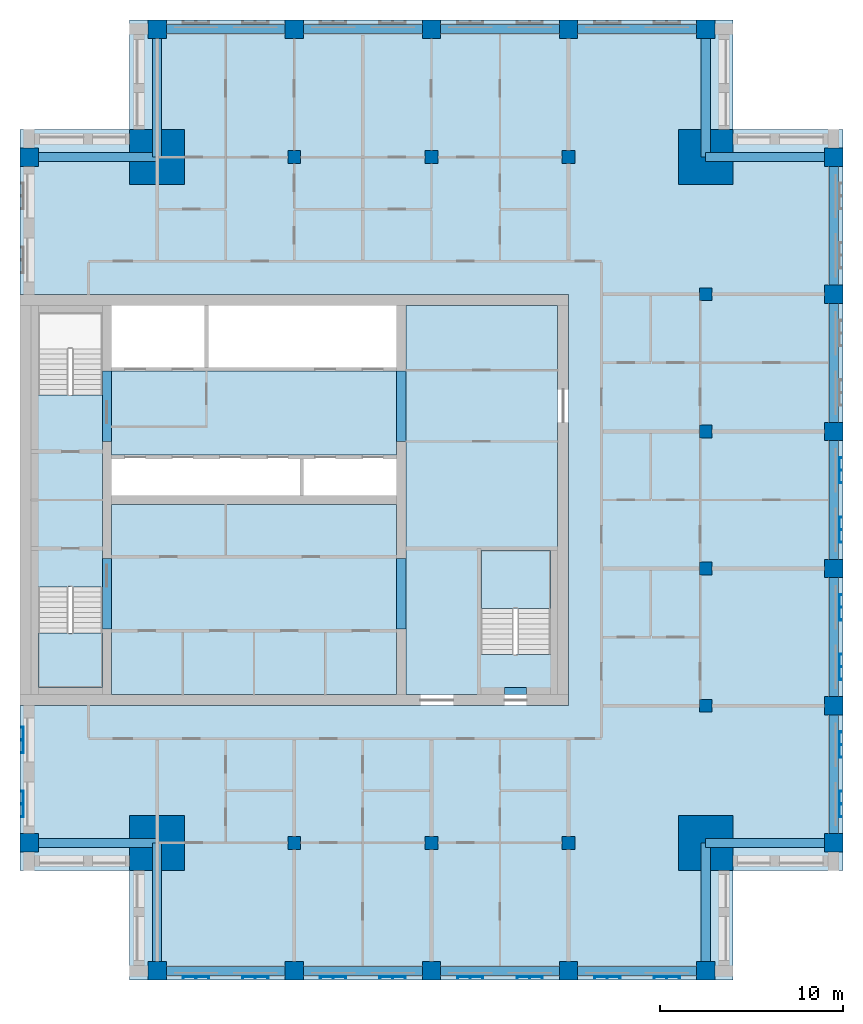
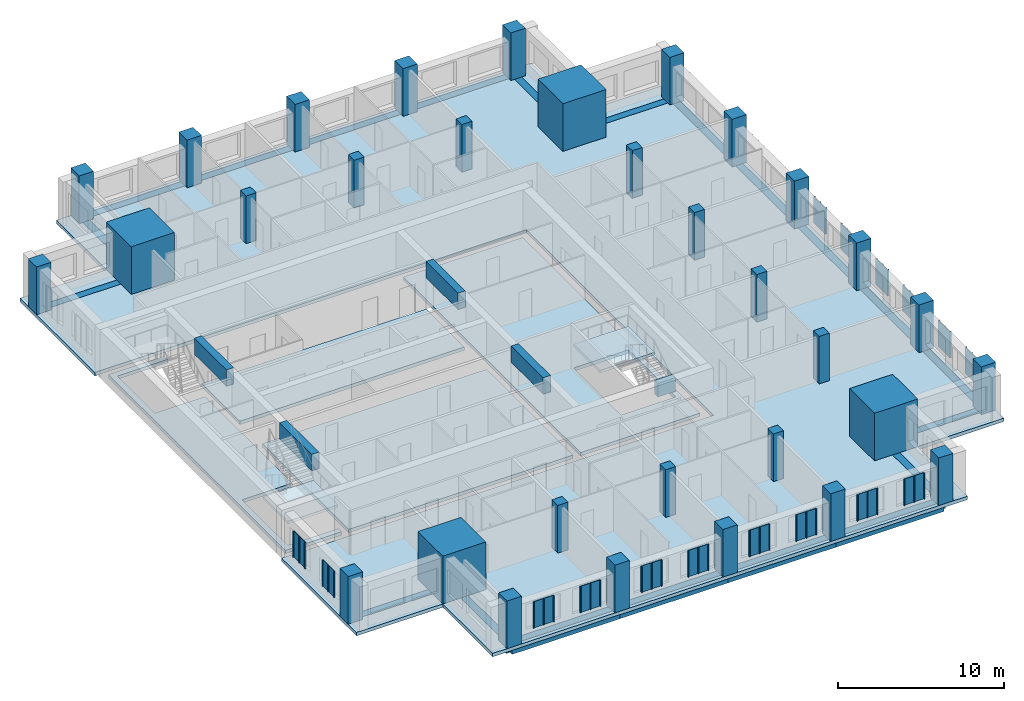
# One storey, part 1 of 10: 32 columns, 26 beams, 16 plates, 7 slabs, 2 elements without a shape of their own.
"""IFC4 building model written with IfcOpenShell, lengths in metres."""

import ifcopenshell
import ifcopenshell.guid

model = None  # the IFC model being written
_history = None  # IfcOwnerHistory: only IFC2X3 demands one
_inside = {}  # id of a spatial element -> (the spatial element, [elements in it])
_under = {}  # id of a project, library or spatial element -> (it, [spatial elements below it])
_declared = {}  # id of a project -> (the project, [libraries it declares])
_typed = {}  # id of a type object -> (the type object, [elements of that type])
_made_of = {}  # id of a material, layer set ... -> (it, [elements and type objects made of it])


def new_model(schema):
    """Start an empty IFC model of exactly this schema.

    Asked for "IFC4X3", IfcOpenShell would pick the latest addendum, in which some entities
    have other attributes; the version numbers below select the first issue.
    IFC2X3 requires an IfcOwnerHistory on every rooted entity: one is made here for all.
    """
    global model, _history
    if schema == "IFC4X3":
        model = ifcopenshell.file(schema_version=(4, 3, 0, 0))
    else:
        model = ifcopenshell.file(schema=schema)
    _inside.clear()
    _under.clear()
    _declared.clear()
    _typed.clear()
    _made_of.clear()
    _history = None
    if model.schema == "IFC2X3":
        org = make("IfcOrganization", Name="unknown")
        user = make(
            "IfcPersonAndOrganization",
            ThePerson=make("IfcPerson", FamilyName="unknown"),
            TheOrganization=org,
        )
        app = make(
            "IfcApplication",
            ApplicationDeveloper=org,
            Version="unknown",
            ApplicationFullName="unknown",
            ApplicationIdentifier="unknown",
        )
        _history = make(
            "IfcOwnerHistory",
            OwningUser=user,
            OwningApplication=app,
            ChangeAction="ADDED",
            CreationDate=0,
        )
    return model


def make(cls, **values):
    """One entity of the class cls with the attributes given. An attribute that is None is left unset."""
    return model.create_entity(
        cls, **{name: value for name, value in values.items() if value is not None}
    )


def rooted(cls, **values):
    """An entity with a GlobalId (a new one), such as an element, a storey or a relation."""
    return make(cls, GlobalId=ifcopenshell.guid.new(), OwnerHistory=_history, **values)


def si_unit(unit_type, name, prefix=None):
    """IfcSIUnit, for example si_unit("LENGTHUNIT", "METRE", prefix="MILLI")."""
    return make("IfcSIUnit", UnitType=unit_type, Prefix=prefix, Name=name)


def assignment(units):
    """IfcUnitAssignment: the units of a project."""
    return None if units is None else make("IfcUnitAssignment", Units=units)


def point(xyz):
    """IfcCartesianPoint."""
    return None if xyz is None else make("IfcCartesianPoint", Coordinates=xyz)


def direction(xyz):
    """IfcDirection."""
    return None if xyz is None else make("IfcDirection", DirectionRatios=xyz)


def frame(location, z_axis=None, x_axis=None):
    """IfcAxis2Placement3D, a coordinate frame: its origin and axes. An axis left out is left unset."""
    return make(
        "IfcAxis2Placement3D",
        Location=point(location),
        Axis=direction(z_axis),
        RefDirection=direction(x_axis),
    )


def frame_2d(location, x_axis=None):
    """IfcAxis2Placement2D, a coordinate frame in the plane: its origin and x axis."""
    return make(
        "IfcAxis2Placement2D", Location=point(location), RefDirection=direction(x_axis)
    )


def origin():
    """The frame at (0, 0, 0) with its axes left unset."""
    return frame((0.0, 0.0, 0.0))


def origin_2d():
    """The frame at (0, 0) in the plane with its x axis left unset."""
    return frame_2d((0.0, 0.0))


def place(relative_to, where):
    """IfcLocalPlacement: puts the frame where relative to a parent placement (None: the world)."""
    return make(
        "IfcLocalPlacement", PlacementRelTo=relative_to, RelativePlacement=where
    )


def context(
    kind, dimensions, precision=None, world=None, true_north=None, identifier=None
):
    """IfcGeometricRepresentationContext, for example the 3D "Model" context."""
    return make(
        "IfcGeometricRepresentationContext",
        ContextIdentifier=identifier,
        ContextType=kind,
        CoordinateSpaceDimension=dimensions,
        Precision=precision,
        WorldCoordinateSystem=world,
        TrueNorth=true_north,
    )


def subcontext(parent, identifier, kind, view, scale=None):
    """IfcGeometricRepresentationSubContext, for example "Body" below "Model"."""
    return make(
        "IfcGeometricRepresentationSubContext",
        ContextIdentifier=identifier,
        ContextType=kind,
        ParentContext=parent,
        TargetScale=scale,
        TargetView=view,
    )


def project(units=None, contexts=None):
    """IfcProject with its units and contexts."""
    return rooted(
        "IfcProject",
        Name="project",
        RepresentationContexts=contexts,
        UnitsInContext=assignment(units),
    )


def spatial(cls, under=None, at=None, **own):
    """A site, building, storey or space (cls), placed at a placement, below another one or the project."""
    s = rooted(cls, ObjectPlacement=at, **own)
    if under is not None:
        _under.setdefault(under.id(), (under, []))[1].append(s)
    return s


def polyline(points):
    """IfcPolyline through the points."""
    return make("IfcPolyline", Points=[point(p) for p in points])


def profile(cls, at=None, kind="AREA", **sizes):
    """A parametric profile (cls). Its sizes go by their IFC names, for example OverallWidth=200.0."""
    return make(cls, ProfileType=kind, Position=at, **sizes)


def rectangle(**sizes):
    """IfcRectangleProfileDef."""
    return profile("IfcRectangleProfileDef", **sizes)


def outline(outer, holes=None, kind="AREA"):
    """IfcArbitraryClosedProfileDef: a profile drawn as a closed curve; with holes, ...WithVoids."""
    if holes is None:
        return make("IfcArbitraryClosedProfileDef", ProfileType=kind, OuterCurve=outer)
    return make(
        "IfcArbitraryProfileDefWithVoids",
        ProfileType=kind,
        OuterCurve=outer,
        InnerCurves=holes,
    )


def extrude(swept, where, along, depth):
    """IfcExtrudedAreaSolid: the profile swept, set in the frame where, extruded along a direction by depth."""
    return make(
        "IfcExtrudedAreaSolid",
        SweptArea=swept,
        Position=where,
        ExtrudedDirection=direction(along),
        Depth=depth,
    )


def shape(context_of_items, identifier, shape_type, items):
    """IfcShapeRepresentation: the items that make up one representation, for example the "Body"."""
    return make(
        "IfcShapeRepresentation",
        ContextOfItems=context_of_items,
        RepresentationIdentifier=identifier,
        RepresentationType=shape_type,
        Items=items,
    )


def material(Name=None, Category=None):
    """IfcMaterial."""
    return make("IfcMaterial", Name=Name, Category=Category)


def layer(
    of_material, thickness, ventilated=None, Name=None, Category=None, Priority=None
):
    """IfcMaterialLayer: one layer of a wall or slab, of a material (None: an air gap)."""
    return make(
        "IfcMaterialLayer",
        Material=of_material,
        LayerThickness=thickness,
        IsVentilated=ventilated,
        Name=Name,
        Category=Category,
        Priority=Priority,
    )


def layer_set(layers, Name=None):
    """IfcMaterialLayerSet."""
    return make("IfcMaterialLayerSet", MaterialLayers=layers, LayerSetName=Name)


def material_profile(
    of_material, cross_section, Name=None, Category=None, Priority=None
):
    """IfcMaterialProfile: a cross section and its material."""
    return make(
        "IfcMaterialProfile",
        Name=Name,
        Material=of_material,
        Profile=cross_section,
        Priority=Priority,
        Category=Category,
    )


def profile_set(profiles, Name=None, composite=None):
    """IfcMaterialProfileSet."""
    return make(
        "IfcMaterialProfileSet",
        Name=Name,
        MaterialProfiles=profiles,
        CompositeProfile=composite,
    )


def made_of(thing, what):
    """Note that an element or type object is made of a material, layer set ...; save() writes the relation."""
    if what is not None:
        _made_of.setdefault(what.id(), (what, []))[1].append(thing)
    return thing


def type_object(cls, material=None, **own):
    """A type object (cls), such as IfcWallType, which elements share."""
    return made_of(rooted(cls, **own), material)


def element(
    cls,
    number,
    at=None,
    inside=None,
    cuts=None,
    type_object=None,
    material=None,
    context=None,
    identifier="Body",
    shape_type=None,
    held_by="IfcProductDefinitionShape",
    body=None,
    shapes=None,
    **own,
):
    """One element of the class cls, such as IfcWall. Its Tag is "e" and its number.

    at: its placement. inside: the storey or other place that contains it. cuts: it is an
    opening in that element (IfcRelVoidsElement). A single representation is given by context,
    identifier, shape_type and body (its items); several are given by shapes. held_by: the class
    of the entity that holds the representations. save() writes the other relations.
    """
    e = rooted(cls, Tag="e%d" % number, ObjectPlacement=at, **own)
    if body is not None:
        shapes = [shape(context, identifier, shape_type, body)]
    if shapes is not None:
        e.Representation = make(held_by, Representations=shapes)
    if inside is not None:
        _inside.setdefault(inside.id(), (inside, []))[1].append(e)
    if cuts is not None:
        rooted(
            "IfcRelVoidsElement", RelatingBuildingElement=cuts, RelatedOpeningElement=e
        )
    if type_object is not None:
        _typed.setdefault(type_object.id(), (type_object, []))[1].append(e)
    return made_of(e, material)


def aggregate(whole, parts):
    """IfcRelAggregates: a whole, such as a stair, and the parts it consists of."""
    return rooted("IfcRelAggregates", RelatingObject=whole, RelatedObjects=parts)


def save(model, path):
    """Write the relations noted so far, then the file.

    IfcRelAggregates (storeys below a building ...), IfcRelContainedInSpatialStructure (elements
    in a storey), IfcRelDefinesByType, IfcRelAssociatesMaterial and IfcRelDeclares: one each for
    every whole, place, type object, material and project.
    """
    for whole, parts in _under.values():
        aggregate(whole, parts)
    for where, things in _inside.values():
        rooted(
            "IfcRelContainedInSpatialStructure",
            RelatedElements=things,
            RelatingStructure=where,
        )
    for kind, things in _typed.values():
        rooted("IfcRelDefinesByType", RelatedObjects=things, RelatingType=kind)
    for what, things in _made_of.values():
        rooted("IfcRelAssociatesMaterial", RelatedObjects=things, RelatingMaterial=what)
    for by, libraries in _declared.values():
        rooted("IfcRelDeclares", RelatingContext=by, RelatedDefinitions=libraries)
    model.write(path)


model = new_model("IFC4")

# Units and contexts
model_context = context("Model", 3, precision=1e-05, world=origin(), true_north=direction((0.0, 1.0)))
body_context = subcontext(model_context, "Body", "Model", "MODEL_VIEW")
ifc_project = project(units=[si_unit("LENGTHUNIT", "METRE"), si_unit("AREAUNIT", "SQUARE_METRE"), si_unit("VOLUMEUNIT", "CUBIC_METRE"), si_unit("PLANEANGLEUNIT", "RADIAN"), si_unit("MASSUNIT", "GRAM", prefix="KILO")], contexts=[model_context])

# Site, building, storey
site_placement = place(None, origin())
site = spatial("IfcSite", under=ifc_project, at=site_placement, CompositionType="ELEMENT")
building_placement = place(site_placement, origin())
building = spatial("IfcBuilding", under=site, at=building_placement, Name="Tamorin Gate", CompositionType="ELEMENT")
storey_placement = place(building_placement, frame((0.0, 0.0, 276.699951171875)))
storey = spatial("IfcBuildingStorey", under=building, at=storey_placement, Name="L69", CompositionType="ELEMENT", Elevation=276.699951171875)

# Columns
ifc_material_1 = material(Name="Concrete C50/60", Category="concrete")
ifc_material_profile_1 = material_profile(ifc_material_1, rectangle(XDim=1.0, YDim=1.0, at=origin_2d()), Name="RC 1000x1000")
ifc_profile_set_1 = profile_set([ifc_material_profile_1], Name="Concrete C50/60")
column_type_1 = type_object("IfcColumnType", Name="RC column 1000x1000 C50/60", PredefinedType="COLUMN", material=ifc_profile_set_1)
for number, where, z_axis, x_axis, name in (
    (1, (30.5, 52.5, 0.0), (0.0, 0.0, 1.0), (1.0, 0.0, 0.0), "Ring column L69"),
    (2, (30.5, 90.0, 0.0), (0.0, 0.0, 1.0), (1.0, 0.0, 0.0), "Ring column L69"),
    (3, (37.5, 45.5, 0.0), (0.0, 0.0, 1.0), (1.0, 0.0, 0.0), "Ring column L69"),
    (4, (37.5, 97.0, 0.0), (0.0, 0.0, 1.0), (1.0, 0.0, 0.0), "Ring column L69"),
    (5, (45.0, 45.5, 0.0), (0.0, 0.0, 1.0), (1.0, 0.0, 0.0), "Ring column L69"),
    (6, (45.0, 97.0, 0.0), (0.0, 0.0, 1.0), (1.0, 0.0, 0.0), "Ring column L69"),
    (7, (52.5, 45.5, 0.0), (0.0, 0.0, 1.0), (1.0, 0.0, 0.0), "Ring column L69"),
    (8, (52.5, 97.0, 0.0), (0.0, 0.0, 1.0), (1.0, 0.0, 0.0), "Ring column L69"),
    (9, (60.0, 45.5, 0.0), (0.0, 0.0, 1.0), (1.0, 0.0, 0.0), "Ring column L69"),
    (10, (60.0, 97.0, 0.0), (0.0, 0.0, 1.0), (1.0, 0.0, 0.0), "Ring column L69"),
    (11, (67.5, 45.5, 0.0), (0.0, 0.0, 1.0), (1.0, 0.0, 0.0), "Ring column L69"),
    (12, (67.5, 97.0, 0.0), (0.0, 0.0, 1.0), (1.0, 0.0, 0.0), "Ring column L69"),
    (13, (74.5, 52.5, 0.0), (0.0, 0.0, 1.0), (1.0, 0.0, 0.0), "Ring column L69"),
    (14, (74.5, 60.0, 0.0), (0.0, 0.0, 1.0), (1.0, 0.0, 0.0), "Ring column L69"),
    (15, (74.5, 67.5, 0.0), (0.0, 0.0, 1.0), (1.0, 0.0, 0.0), "Ring column L69"),
    (16, (74.5, 75.0, 0.0), (0.0, 0.0, 1.0), (1.0, 0.0, 0.0), "Ring column L69"),
    (17, (74.5, 82.5, 0.0), (0.0, 0.0, 1.0), (1.0, 0.0, 0.0), "Ring column L69"),
    (18, (74.5, 90.0, 0.0), (0.0, 0.0, 1.0), (1.0, 0.0, 0.0), "Ring column L69"),
):
    element("IfcColumn", number, at=place(storey_placement, frame(where, z_axis=z_axis, x_axis=x_axis)), inside=storey, type_object=column_type_1, Name=name, PredefinedType="COLUMN", context=body_context, shape_type="SweptSolid", body=[
        extrude(rectangle(XDim=1.0, YDim=1.0, at=origin_2d()), origin(), (0.0, 0.0, 1.0), 3.5),
    ])
ifc_material_profile_2 = material_profile(ifc_material_1, rectangle(XDim=3.0, YDim=3.0, at=origin_2d()), Name="RC 3000x3000")
ifc_profile_set_2 = profile_set([ifc_material_profile_2], Name="Concrete C50/60")
column_type_2 = type_object("IfcColumnType", Name="RC column 3000x3000 C50/60", PredefinedType="COLUMN", material=ifc_profile_set_2)
for number, where, z_axis, x_axis, name in (
    (19, (37.5, 52.5, 0.0), (0.0, 0.0, 1.0), (1.0, 0.0, 0.0), "Mega column SW L69"),
    (20, (67.5, 52.5, 0.0), (0.0, 0.0, 1.0), (1.0, 0.0, 0.0), "Mega column SE L69"),
    (21, (37.5, 90.0, 0.0), (0.0, 0.0, 1.0), (1.0, 0.0, 0.0), "Mega column NW L69"),
    (22, (67.5, 90.0, 0.0), (0.0, 0.0, 1.0), (1.0, 0.0, 0.0), "Mega column NE L69"),
):
    element("IfcColumn", number, at=place(storey_placement, frame(where, z_axis=z_axis, x_axis=x_axis)), inside=storey, type_object=column_type_2, Name=name, PredefinedType="COLUMN", context=body_context, shape_type="SweptSolid", body=[
        extrude(rectangle(XDim=3.0, YDim=3.0, at=origin_2d()), origin(), (0.0, 0.0, 1.0), 3.5),
    ])
ifc_material_profile_3 = material_profile(ifc_material_1, rectangle(XDim=0.699951171875, YDim=0.699951171875, at=origin_2d()), Name="RC 700x700")
ifc_profile_set_3 = profile_set([ifc_material_profile_3], Name="Concrete C50/60")
column_type_3 = type_object("IfcColumnType", Name="RC column 700x700 C50/60", PredefinedType="COLUMN", material=ifc_profile_set_3)
for number, where, z_axis, x_axis, name in (
    (23, (45.0, 52.5, 0.0), (0.0, 0.0, 1.0), (1.0, 0.0, 0.0), "Interior column L69"),
    (24, (45.0, 90.0, 0.0), (0.0, 0.0, 1.0), (1.0, 0.0, 0.0), "Interior column L69"),
    (25, (52.5, 52.5, 0.0), (0.0, 0.0, 1.0), (1.0, 0.0, 0.0), "Interior column L69"),
    (26, (52.5, 90.0, 0.0), (0.0, 0.0, 1.0), (1.0, 0.0, 0.0), "Interior column L69"),
    (27, (60.0, 52.5, 0.0), (0.0, 0.0, 1.0), (1.0, 0.0, 0.0), "Interior column L69"),
    (28, (60.0, 90.0, 0.0), (0.0, 0.0, 1.0), (1.0, 0.0, 0.0), "Interior column L69"),
    (29, (67.5, 60.0, 0.0), (0.0, 0.0, 1.0), (1.0, 0.0, 0.0), "Interior column L69"),
    (30, (67.5, 67.5, 0.0), (0.0, 0.0, 1.0), (1.0, 0.0, 0.0), "Interior column L69"),
    (31, (67.5, 75.0, 0.0), (0.0, 0.0, 1.0), (1.0, 0.0, 0.0), "Interior column L69"),
    (32, (67.5, 82.5, 0.0), (0.0, 0.0, 1.0), (1.0, 0.0, 0.0), "Interior column L69"),
):
    element("IfcColumn", number, at=place(storey_placement, frame(where, z_axis=z_axis, x_axis=x_axis)), inside=storey, type_object=column_type_3, Name=name, PredefinedType="COLUMN", context=body_context, shape_type="SweptSolid", body=[
        extrude(rectangle(XDim=0.699951171875, YDim=0.699951171875, at=origin_2d()), origin(), (0.0, 0.0, 1.0), 3.5),
    ])

# Beams
ifc_material_profile_4 = material_profile(ifc_material_1, rectangle(XDim=0.5, YDim=1.199951171875, at=origin_2d()), Name="RC 500x1200")
ifc_profile_set_4 = profile_set([ifc_material_profile_4], Name="Concrete C50/60")
beam_type_1 = type_object("IfcBeamType", Name="RC coupling beam 500x1200 C50/60", PredefinedType="BEAM", material=ifc_profile_set_4)
for number, where, z_axis, x_axis, name in (
    (33, (34.75, 64.199951171875, 2.900146484375), (0.0, 1.0, 0.0), (-1.0, 0.0, 0.0), "Coupling beam L69"),
    (34, (34.75, 74.449951171875, 2.900146484375), (0.0, 1.0, 0.0), (-1.0, 0.0, 0.0), "Coupling beam L69"),
    (35, (50.85009765625, 64.199951171875, 2.900146484375), (0.0, 1.0, 0.0), (-1.0, 0.0, 0.0), "Coupling beam L69"),
    (36, (50.85009765625, 74.449951171875, 2.900146484375), (0.0, 1.0, 0.0), (-1.0, 0.0, 0.0), "Coupling beam L69"),
):
    element("IfcBeam", number, at=place(storey_placement, frame(where, z_axis=z_axis, x_axis=x_axis)), inside=storey, type_object=beam_type_1, Name=name, PredefinedType="BEAM", context=body_context, shape_type="SweptSolid", body=[
        extrude(rectangle(XDim=0.5, YDim=1.199951171875, at=origin_2d()), origin(), (0.0, 0.0, 1.0), 3.85009765625),
    ])
ifc_material_profile_5 = material_profile(ifc_material_1, rectangle(XDim=0.5, YDim=0.75, at=origin_2d()), Name="RC 500x750")
ifc_profile_set_5 = profile_set([ifc_material_profile_5], Name="Concrete C50/60")
beam_type_2 = type_object("IfcBeamType", Name="RC spandrel 500x750 C50/60", PredefinedType="BEAM", material=ifc_profile_set_5)
for number, where, z_axis, x_axis, name in (
    (37, (37.5, 45.5, -0.375), (1.0, 0.0, 0.0), (0.0, 1.0, 0.0), "Spandrel beam L69"),
    (38, (45.0, 45.5, -0.375), (1.0, 0.0, 0.0), (0.0, 1.0, 0.0), "Spandrel beam L69"),
    (39, (52.5, 45.5, -0.375), (1.0, 0.0, 0.0), (0.0, 1.0, 0.0), "Spandrel beam L69"),
    (40, (60.0, 45.5, -0.375), (1.0, 0.0, 0.0), (0.0, 1.0, 0.0), "Spandrel beam L69"),
    (41, (74.5, 52.5, -0.375), (0.0, 1.0, 0.0), (-1.0, 0.0, 0.0), "Spandrel beam L69"),
    (42, (74.5, 60.0, -0.375), (0.0, 1.0, 0.0), (-1.0, 0.0, 0.0), "Spandrel beam L69"),
    (43, (74.5, 67.5, -0.375), (0.0, 1.0, 0.0), (-1.0, 0.0, 0.0), "Spandrel beam L69"),
    (44, (74.5, 75.0, -0.375), (0.0, 1.0, 0.0), (-1.0, 0.0, 0.0), "Spandrel beam L69"),
    (45, (74.5, 82.5, -0.375), (0.0, 1.0, 0.0), (-1.0, 0.0, 0.0), "Spandrel beam L69"),
    (46, (67.5, 97.0, -0.375), (-1.0, 0.0, 0.0), (0.0, -1.0, 0.0), "Spandrel beam L69"),
    (47, (60.0, 97.0, -0.375), (-1.0, 0.0, 0.0), (0.0, -1.0, 0.0), "Spandrel beam L69"),
    (48, (52.5, 97.0, -0.375), (-1.0, 0.0, 0.0), (0.0, -1.0, 0.0), "Spandrel beam L69"),
    (49, (45.0, 97.0, -0.375), (-1.0, 0.0, 0.0), (0.0, -1.0, 0.0), "Spandrel beam L69"),
):
    element("IfcBeam", number, at=place(storey_placement, frame(where, z_axis=z_axis, x_axis=x_axis)), inside=storey, type_object=beam_type_2, Name=name, PredefinedType="BEAM", context=body_context, shape_type="SweptSolid", body=[
        extrude(rectangle(XDim=0.5, YDim=0.75, at=origin_2d()), origin(), (0.0, 0.0, 1.0), 7.5),
    ])
for number, where, z_axis, x_axis, name in (
    (50, (37.5, 52.5, -0.375), (-1.0, 0.0, 0.0), (0.0, -1.0, 0.0), "Corner tie beam L69"),
    (51, (37.5, 52.5, -0.375), (0.0, -1.0, 0.0), (1.0, 0.0, 0.0), "Corner tie beam L69"),
    (52, (67.5, 52.5, -0.375), (0.0, -1.0, 0.0), (1.0, 0.0, 0.0), "Corner tie beam L69"),
    (53, (67.5, 52.5, -0.375), (1.0, 0.0, 0.0), (0.0, 1.0, 0.0), "Corner tie beam L69"),
    (54, (37.5, 90.0, -0.375), (-1.0, 0.0, 0.0), (0.0, -1.0, 0.0), "Corner tie beam L69"),
    (55, (37.5, 90.0, -0.375), (0.0, 1.0, 0.0), (-1.0, 0.0, 0.0), "Corner tie beam L69"),
    (56, (67.5, 90.0, -0.375), (0.0, 1.0, 0.0), (-1.0, 0.0, 0.0), "Corner tie beam L69"),
    (57, (67.5, 90.0, -0.375), (1.0, 0.0, 0.0), (0.0, 1.0, 0.0), "Corner tie beam L69"),
):
    element("IfcBeam", number, at=place(storey_placement, frame(where, z_axis=z_axis, x_axis=x_axis)), inside=storey, type_object=beam_type_2, Name=name, PredefinedType="BEAM", context=body_context, shape_type="SweptSolid", body=[
        extrude(rectangle(XDim=0.5, YDim=0.75, at=origin_2d()), origin(), (0.0, 0.0, 1.0), 7.0),
    ])
ifc_material_profile_6 = material_profile(ifc_material_1, rectangle(XDim=0.39990234375, YDim=1.0, at=origin_2d()))
ifc_profile_set_6 = profile_set([ifc_material_profile_6], Name="Concrete C50/60")
beam_type_3 = type_object("IfcBeamType", Name="Stair lintel 400x1000 C50/60", PredefinedType="BEAM", material=ifc_profile_set_6)
beam_placement = place(storey_placement, frame((56.5, 60.800048828125, 2.699951171875), z_axis=(1.0, 0.0, 0.0), x_axis=(0.0, 1.0, 0.0)))
element("IfcBeam", 58, at=beam_placement, inside=storey, type_object=beam_type_3, Name="Stair lintel", PredefinedType="BEAM", context=body_context, shape_type="SweptSolid", body=[
    extrude(rectangle(XDim=0.39990234375, YDim=1.0, at=origin_2d()), origin(), (0.0, 0.0, 1.0), 1.199951171875),
])

# Slabs
ifc_material_2 = material(Name="Concrete C40/50", Category="concrete")
ifc_layer_1 = layer(ifc_material_2, 0.25)
ifc_layer_set_1 = layer_set([ifc_layer_1], Name="Core floor slab 250 C40/50")
slab_type_1 = type_object("IfcSlabType", Name="Core floor slab 250 C40/50", PredefinedType="FLOOR", material=ifc_layer_set_1)
slab_1_placement = place(storey_placement, frame((0.0, 0.0, -0.25)))
element("IfcSlab", 59, at=slab_1_placement, inside=storey, type_object=slab_type_1, Name="Core floor L69", PredefinedType="FLOOR", context=body_context, shape_type="SweptSolid", body=[
    extrude(outline(polyline([(51.10009765625, 81.89990234375), (59.39990234375, 81.89990234375), (59.39990234375, 60.60009765625), (51.10009765625, 60.60009765625), (51.10009765625, 81.89990234375)]), holes=[polyline([(55.199951171875, 62.800048828125), (59.0, 62.800048828125), (59.0, 68.5), (55.199951171875, 68.5), (55.199951171875, 62.800048828125)])]), origin(), (0.0, 0.0, 1.0), 0.25),
])
slab_2_placement = place(storey_placement, frame((0.0, 0.0, -0.25)))
element("IfcSlab", 60, at=slab_2_placement, inside=storey, type_object=slab_type_1, Name="Core floor L69", PredefinedType="FLOOR", context=body_context, shape_type="SweptSolid", body=[
    extrude(outline(polyline([(50.60009765625, 71.0), (50.60009765625, 60.60009765625), (35.0, 60.60009765625), (35.0, 71.0), (50.60009765625, 71.0)])), origin(), (0.0, 0.0, 1.0), 0.25),
])
slab_3_placement = place(storey_placement, frame((0.0, 0.0, -0.25)))
element("IfcSlab", 61, at=slab_3_placement, inside=storey, type_object=slab_type_1, Name="Core floor L69", PredefinedType="FLOOR", context=body_context, shape_type="SweptSolid", body=[
    extrude(outline(polyline([(50.60009765625, 73.699951171875), (35.0, 73.699951171875), (35.0, 78.300048828125), (50.60009765625, 78.300048828125), (50.60009765625, 73.699951171875)])), origin(), (0.0, 0.0, 1.0), 0.25),
])
slab_4_placement = place(storey_placement, frame((0.0, 0.0, -0.25)))
element("IfcSlab", 62, at=slab_4_placement, inside=storey, type_object=slab_type_1, Name="Core floor L69", PredefinedType="FLOOR", context=body_context, shape_type="SweptSolid", body=[
    extrude(outline(polyline([(34.5, 60.60009765625), (30.60009765625, 60.60009765625), (30.60009765625, 81.89990234375), (34.5, 81.89990234375), (34.5, 81.5), (31.0, 81.5), (31.0, 77.0), (34.5, 77.0), (34.5, 66.5), (31.0, 66.5), (31.0, 61.0), (34.5, 61.0), (34.5, 60.60009765625)])), origin(), (0.0, 0.0, 1.0), 0.25),
])

# Stair, slab
stair_type = type_object("IfcStairType", Name="Exit stair", PredefinedType="HALF_TURN_STAIR", material=ifc_material_2)
stair_1_placement = place(storey_placement, origin())
stair_1 = element("IfcStair", 63, at=stair_1_placement, inside=storey, type_object=stair_type, Name="L69 stair ST1", PredefinedType="HALF_TURN_STAIR")
ifc_layer_2 = layer(ifc_material_2, 0.199951171875)
ifc_layer_set_2 = layer_set([ifc_layer_2], Name="Exit stair landing 200")
slab_type_2 = type_object("IfcSlabType", Name="Exit stair landing 200", PredefinedType="LANDING", material=ifc_layer_set_2)
slab_5_placement = place(storey_placement, frame((0.0, 0.0, 1.550048828125)))
slab_5 = element("IfcSlab", 64, at=slab_5_placement, type_object=slab_type_2, Name="ST1 landing 1", PredefinedType="LANDING", context=body_context, shape_type="SweptSolid", body=[
    extrude(outline(polyline([(31.0, 63.97998046875), (31.0, 61.0), (34.5, 61.0), (34.5, 63.97998046875), (31.0, 63.97998046875)])), origin(), (0.0, 0.0, 1.0), 0.199951171875),
])
aggregate(stair_1, [slab_5])

stair_2_placement = place(storey_placement, origin())
stair_2 = element("IfcStair", 65, at=stair_2_placement, inside=storey, type_object=stair_type, Name="L69 stair ST3", PredefinedType="HALF_TURN_STAIR")
slab_6_placement = place(storey_placement, frame((0.0, 0.0, 1.550048828125)))
slab_6 = element("IfcSlab", 66, at=slab_6_placement, type_object=slab_type_2, Name="ST3 landing 1", PredefinedType="LANDING", context=body_context, shape_type="SweptSolid", body=[
    extrude(outline(polyline([(59.0, 65.320068359375), (59.0, 68.5), (55.199951171875, 68.5), (55.199951171875, 65.320068359375), (59.0, 65.320068359375)])), origin(), (0.0, 0.0, 1.0), 0.199951171875),
])
aggregate(stair_2, [slab_6])

# Slab
ifc_layer_3 = layer(ifc_material_2, 0.25)
ifc_layer_set_3 = layer_set([ifc_layer_3], Name="Floor slab 250 C40/50")
slab_type_3 = type_object("IfcSlabType", Name="Floor slab 250 C40/50", PredefinedType="FLOOR", material=ifc_layer_set_3)
slab_7_placement = place(storey_placement, frame((0.0, 0.0, -0.25)))
element("IfcSlab", 67, at=slab_7_placement, inside=storey, type_object=slab_type_3, Name="Floor L69", PredefinedType="FLOOR", context=body_context, shape_type="SweptSolid", body=[
    extrude(outline(polyline([(30.0, 91.5), (36.0, 91.5), (36.0, 97.5), (69.0, 97.5), (69.0, 91.5), (75.0, 91.5), (75.0, 51.0), (69.0, 51.0), (69.0, 45.0), (36.0, 45.0), (36.0, 51.0), (30.0, 51.0), (30.0, 60.0), (60.0, 60.0), (60.0, 82.5), (30.0, 82.5), (30.0, 91.5)])), origin(), (0.0, 0.0, 1.0), 0.25),
])

# Plates
ifc_material_3 = material(Name="Perforated pale aluminium sheet", Category="aluminium")
ifc_layer_4 = layer(ifc_material_3, 0.0400390625)
ifc_layer_set_4 = layer_set([ifc_layer_4], Name="Pale metal solar screen 1440")
plate_type = type_object("IfcPlateType", Name="Pale metal solar screen 1440", PredefinedType="SHEET", material=ifc_layer_set_4)
plate_1_placement = place(storey_placement, frame((0.0, 0.0, 0.737548828125)))
element("IfcPlate", 68, at=plate_1_placement, inside=storey, type_object=plate_type, Name="Perforated solar screen", PredefinedType="SHEET", context=body_context, shape_type="SweptSolid", body=[
    extrude(outline(polyline([(38.905029296875, 45.159912109375), (38.905029296875, 45.199951171875), (38.965087890625, 45.199951171875), (39.594970703125, 45.199951171875), (39.655029296875, 45.199951171875), (40.284912109375, 45.199951171875), (40.344970703125, 45.199951171875), (40.344970703125, 45.199951171875), (40.344970703125, 45.159912109375), (40.344970703125, 45.159912109375), (40.344970703125, 45.10009765625), (40.284912109375, 45.10009765625), (40.284912109375, 45.159912109375), (39.655029296875, 45.159912109375), (39.655029296875, 45.10009765625), (39.594970703125, 45.10009765625), (39.594970703125, 45.159912109375), (38.965087890625, 45.159912109375), (38.965087890625, 45.10009765625), (38.905029296875, 45.10009765625), (38.905029296875, 45.159912109375)])), origin(), (0.0, 0.0, 1.0), 1.925048828125),
])
plate_2_placement = place(storey_placement, frame((0.0, 0.0, 0.737548828125)))
element("IfcPlate", 69, at=plate_2_placement, inside=storey, type_object=plate_type, Name="Perforated solar screen", PredefinedType="SHEET", context=body_context, shape_type="SweptSolid", body=[
    extrude(outline(polyline([(42.155029296875, 45.159912109375), (42.155029296875, 45.199951171875), (42.215087890625, 45.199951171875), (42.844970703125, 45.199951171875), (42.905029296875, 45.199951171875), (43.534912109375, 45.199951171875), (43.594970703125, 45.199951171875), (43.594970703125, 45.199951171875), (43.594970703125, 45.159912109375), (43.594970703125, 45.159912109375), (43.594970703125, 45.10009765625), (43.534912109375, 45.10009765625), (43.534912109375, 45.159912109375), (42.905029296875, 45.159912109375), (42.905029296875, 45.10009765625), (42.844970703125, 45.10009765625), (42.844970703125, 45.159912109375), (42.215087890625, 45.159912109375), (42.215087890625, 45.10009765625), (42.155029296875, 45.10009765625), (42.155029296875, 45.159912109375)])), origin(), (0.0, 0.0, 1.0), 1.925048828125),
])
plate_3_placement = place(storey_placement, frame((0.0, 0.0, 0.737548828125)))
element("IfcPlate", 70, at=plate_3_placement, inside=storey, type_object=plate_type, Name="Perforated solar screen", PredefinedType="SHEET", context=body_context, shape_type="SweptSolid", body=[
    extrude(outline(polyline([(46.405029296875, 45.159912109375), (46.405029296875, 45.199951171875), (46.465087890625, 45.199951171875), (47.094970703125, 45.199951171875), (47.155029296875, 45.199951171875), (47.784912109375, 45.199951171875), (47.844970703125, 45.199951171875), (47.844970703125, 45.159912109375), (47.844970703125, 45.10009765625), (47.784912109375, 45.10009765625), (47.784912109375, 45.159912109375), (47.155029296875, 45.159912109375), (47.155029296875, 45.10009765625), (47.094970703125, 45.10009765625), (47.094970703125, 45.159912109375), (46.465087890625, 45.159912109375), (46.465087890625, 45.10009765625), (46.405029296875, 45.10009765625), (46.405029296875, 45.159912109375)])), origin(), (0.0, 0.0, 1.0), 1.925048828125),
])
plate_4_placement = place(storey_placement, frame((0.0, 0.0, 0.737548828125)))
element("IfcPlate", 71, at=plate_4_placement, inside=storey, type_object=plate_type, Name="Perforated solar screen", PredefinedType="SHEET", context=body_context, shape_type="SweptSolid", body=[
    extrude(outline(polyline([(49.655029296875, 45.159912109375), (49.655029296875, 45.199951171875), (49.715087890625, 45.199951171875), (50.344970703125, 45.199951171875), (50.405029296875, 45.199951171875), (51.034912109375, 45.199951171875), (51.094970703125, 45.199951171875), (51.094970703125, 45.159912109375), (51.094970703125, 45.10009765625), (51.034912109375, 45.10009765625), (51.034912109375, 45.159912109375), (50.405029296875, 45.159912109375), (50.405029296875, 45.10009765625), (50.344970703125, 45.10009765625), (50.344970703125, 45.159912109375), (49.715087890625, 45.159912109375), (49.715087890625, 45.10009765625), (49.655029296875, 45.10009765625), (49.655029296875, 45.159912109375)])), origin(), (0.0, 0.0, 1.0), 1.925048828125),
])
plate_5_placement = place(storey_placement, frame((0.0, 0.0, 0.737548828125)))
element("IfcPlate", 72, at=plate_5_placement, inside=storey, type_object=plate_type, Name="Perforated solar screen", PredefinedType="SHEET", context=body_context, shape_type="SweptSolid", body=[
    extrude(outline(polyline([(53.905029296875, 45.159912109375), (53.905029296875, 45.199951171875), (53.965087890625, 45.199951171875), (54.594970703125, 45.199951171875), (54.655029296875, 45.199951171875), (55.284912109375, 45.199951171875), (55.344970703125, 45.199951171875), (55.344970703125, 45.159912109375), (55.344970703125, 45.10009765625), (55.284912109375, 45.10009765625), (55.284912109375, 45.159912109375), (54.655029296875, 45.159912109375), (54.655029296875, 45.10009765625), (54.594970703125, 45.10009765625), (54.594970703125, 45.159912109375), (53.965087890625, 45.159912109375), (53.965087890625, 45.10009765625), (53.905029296875, 45.10009765625), (53.905029296875, 45.159912109375)])), origin(), (0.0, 0.0, 1.0), 1.925048828125),
])
plate_6_placement = place(storey_placement, frame((0.0, 0.0, 0.737548828125)))
element("IfcPlate", 73, at=plate_6_placement, inside=storey, type_object=plate_type, Name="Perforated solar screen", PredefinedType="SHEET", context=body_context, shape_type="SweptSolid", body=[
    extrude(outline(polyline([(57.155029296875, 45.159912109375), (57.155029296875, 45.199951171875), (57.215087890625, 45.199951171875), (57.844970703125, 45.199951171875), (57.905029296875, 45.199951171875), (58.534912109375, 45.199951171875), (58.594970703125, 45.199951171875), (58.594970703125, 45.159912109375), (58.594970703125, 45.10009765625), (58.534912109375, 45.10009765625), (58.534912109375, 45.159912109375), (57.905029296875, 45.159912109375), (57.905029296875, 45.10009765625), (57.844970703125, 45.10009765625), (57.844970703125, 45.159912109375), (57.215087890625, 45.159912109375), (57.215087890625, 45.10009765625), (57.155029296875, 45.10009765625), (57.155029296875, 45.159912109375)])), origin(), (0.0, 0.0, 1.0), 1.925048828125),
])
plate_7_placement = place(storey_placement, frame((0.0, 0.0, 0.737548828125)))
element("IfcPlate", 74, at=plate_7_placement, inside=storey, type_object=plate_type, Name="Perforated solar screen", PredefinedType="SHEET", context=body_context, shape_type="SweptSolid", body=[
    extrude(outline(polyline([(61.405029296875, 45.159912109375), (61.405029296875, 45.199951171875), (61.465087890625, 45.199951171875), (62.094970703125, 45.199951171875), (62.155029296875, 45.199951171875), (62.784912109375, 45.199951171875), (62.844970703125, 45.199951171875), (62.844970703125, 45.159912109375), (62.844970703125, 45.10009765625), (62.784912109375, 45.10009765625), (62.784912109375, 45.159912109375), (62.155029296875, 45.159912109375), (62.155029296875, 45.10009765625), (62.094970703125, 45.10009765625), (62.094970703125, 45.159912109375), (61.465087890625, 45.159912109375), (61.465087890625, 45.10009765625), (61.405029296875, 45.10009765625), (61.405029296875, 45.159912109375)])), origin(), (0.0, 0.0, 1.0), 1.925048828125),
])
plate_8_placement = place(storey_placement, frame((0.0, 0.0, 0.737548828125)))
element("IfcPlate", 75, at=plate_8_placement, inside=storey, type_object=plate_type, Name="Perforated solar screen", PredefinedType="SHEET", context=body_context, shape_type="SweptSolid", body=[
    extrude(outline(polyline([(64.655029296875, 45.159912109375), (64.655029296875, 45.199951171875), (64.715087890625, 45.199951171875), (65.344970703125, 45.199951171875), (65.405029296875, 45.199951171875), (66.034912109375, 45.199951171875), (66.094970703125, 45.199951171875), (66.094970703125, 45.159912109375), (66.094970703125, 45.10009765625), (66.034912109375, 45.10009765625), (66.034912109375, 45.159912109375), (65.405029296875, 45.159912109375), (65.405029296875, 45.10009765625), (65.344970703125, 45.10009765625), (65.344970703125, 45.159912109375), (64.715087890625, 45.159912109375), (64.715087890625, 45.10009765625), (64.655029296875, 45.10009765625), (64.655029296875, 45.159912109375)])), origin(), (0.0, 0.0, 1.0), 1.925048828125),
])
plate_9_placement = place(storey_placement, frame((0.0, 0.0, 0.737548828125)))
element("IfcPlate", 76, at=plate_9_placement, inside=storey, type_object=plate_type, Name="Perforated solar screen", PredefinedType="SHEET", context=body_context, shape_type="SweptSolid", body=[
    extrude(outline(polyline([(74.840087890625, 53.905029296875), (74.800048828125, 53.905029296875), (74.800048828125, 53.965087890625), (74.800048828125, 54.594970703125), (74.800048828125, 54.655029296875), (74.800048828125, 55.284912109375), (74.800048828125, 55.344970703125), (74.800048828125, 55.344970703125), (74.840087890625, 55.344970703125), (74.840087890625, 55.344970703125), (74.89990234375, 55.344970703125), (74.89990234375, 55.284912109375), (74.840087890625, 55.284912109375), (74.840087890625, 54.655029296875), (74.89990234375, 54.655029296875), (74.89990234375, 54.594970703125), (74.840087890625, 54.594970703125), (74.840087890625, 53.965087890625), (74.89990234375, 53.965087890625), (74.89990234375, 53.905029296875), (74.840087890625, 53.905029296875)])), origin(), (0.0, 0.0, 1.0), 1.925048828125),
])
plate_10_placement = place(storey_placement, frame((0.0, 0.0, 0.737548828125)))
element("IfcPlate", 77, at=plate_10_placement, inside=storey, type_object=plate_type, Name="Perforated solar screen", PredefinedType="SHEET", context=body_context, shape_type="SweptSolid", body=[
    extrude(outline(polyline([(74.840087890625, 57.155029296875), (74.800048828125, 57.155029296875), (74.800048828125, 57.215087890625), (74.800048828125, 57.844970703125), (74.800048828125, 57.905029296875), (74.800048828125, 58.534912109375), (74.800048828125, 58.594970703125), (74.800048828125, 58.594970703125), (74.840087890625, 58.594970703125), (74.840087890625, 58.594970703125), (74.89990234375, 58.594970703125), (74.89990234375, 58.534912109375), (74.840087890625, 58.534912109375), (74.840087890625, 57.905029296875), (74.89990234375, 57.905029296875), (74.89990234375, 57.844970703125), (74.840087890625, 57.844970703125), (74.840087890625, 57.215087890625), (74.89990234375, 57.215087890625), (74.89990234375, 57.155029296875), (74.840087890625, 57.155029296875)])), origin(), (0.0, 0.0, 1.0), 1.925048828125),
])
plate_11_placement = place(storey_placement, frame((0.0, 0.0, 0.737548828125)))
element("IfcPlate", 78, at=plate_11_placement, inside=storey, type_object=plate_type, Name="Perforated solar screen", PredefinedType="SHEET", context=body_context, shape_type="SweptSolid", body=[
    extrude(outline(polyline([(74.840087890625, 61.405029296875), (74.800048828125, 61.405029296875), (74.800048828125, 61.465087890625), (74.800048828125, 62.094970703125), (74.800048828125, 62.155029296875), (74.800048828125, 62.784912109375), (74.800048828125, 62.844970703125), (74.840087890625, 62.844970703125), (74.89990234375, 62.844970703125), (74.89990234375, 62.784912109375), (74.840087890625, 62.784912109375), (74.840087890625, 62.155029296875), (74.89990234375, 62.155029296875), (74.89990234375, 62.094970703125), (74.840087890625, 62.094970703125), (74.840087890625, 61.465087890625), (74.89990234375, 61.465087890625), (74.89990234375, 61.405029296875), (74.840087890625, 61.405029296875)])), origin(), (0.0, 0.0, 1.0), 1.925048828125),
])
plate_12_placement = place(storey_placement, frame((0.0, 0.0, 0.737548828125)))
element("IfcPlate", 79, at=plate_12_placement, inside=storey, type_object=plate_type, Name="Perforated solar screen", PredefinedType="SHEET", context=body_context, shape_type="SweptSolid", body=[
    extrude(outline(polyline([(74.840087890625, 64.655029296875), (74.800048828125, 64.655029296875), (74.800048828125, 64.715087890625), (74.800048828125, 65.344970703125), (74.800048828125, 65.405029296875), (74.800048828125, 66.034912109375), (74.800048828125, 66.094970703125), (74.840087890625, 66.094970703125), (74.89990234375, 66.094970703125), (74.89990234375, 66.034912109375), (74.840087890625, 66.034912109375), (74.840087890625, 65.405029296875), (74.89990234375, 65.405029296875), (74.89990234375, 65.344970703125), (74.840087890625, 65.344970703125), (74.840087890625, 64.715087890625), (74.89990234375, 64.715087890625), (74.89990234375, 64.655029296875), (74.840087890625, 64.655029296875)])), origin(), (0.0, 0.0, 1.0), 1.925048828125),
])
plate_13_placement = place(storey_placement, frame((0.0, 0.0, 0.737548828125)))
element("IfcPlate", 80, at=plate_13_placement, inside=storey, type_object=plate_type, Name="Perforated solar screen", PredefinedType="SHEET", context=body_context, shape_type="SweptSolid", body=[
    extrude(outline(polyline([(74.840087890625, 68.905029296875), (74.800048828125, 68.905029296875), (74.800048828125, 68.965087890625), (74.800048828125, 69.594970703125), (74.800048828125, 69.655029296875), (74.800048828125, 70.284912109375), (74.800048828125, 70.344970703125), (74.840087890625, 70.344970703125), (74.89990234375, 70.344970703125), (74.89990234375, 70.284912109375), (74.840087890625, 70.284912109375), (74.840087890625, 69.655029296875), (74.89990234375, 69.655029296875), (74.89990234375, 69.594970703125), (74.840087890625, 69.594970703125), (74.840087890625, 68.965087890625), (74.89990234375, 68.965087890625), (74.89990234375, 68.905029296875), (74.840087890625, 68.905029296875)])), origin(), (0.0, 0.0, 1.0), 1.925048828125),
])
plate_14_placement = place(storey_placement, frame((0.0, 0.0, 0.737548828125)))
element("IfcPlate", 81, at=plate_14_placement, inside=storey, type_object=plate_type, Name="Perforated solar screen", PredefinedType="SHEET", context=body_context, shape_type="SweptSolid", body=[
    extrude(outline(polyline([(74.840087890625, 72.155029296875), (74.800048828125, 72.155029296875), (74.800048828125, 72.215087890625), (74.800048828125, 72.844970703125), (74.800048828125, 72.905029296875), (74.800048828125, 73.534912109375), (74.800048828125, 73.594970703125), (74.840087890625, 73.594970703125), (74.89990234375, 73.594970703125), (74.89990234375, 73.534912109375), (74.840087890625, 73.534912109375), (74.840087890625, 72.905029296875), (74.89990234375, 72.905029296875), (74.89990234375, 72.844970703125), (74.840087890625, 72.844970703125), (74.840087890625, 72.215087890625), (74.89990234375, 72.215087890625), (74.89990234375, 72.155029296875), (74.840087890625, 72.155029296875)])), origin(), (0.0, 0.0, 1.0), 1.925048828125),
])
plate_15_placement = place(storey_placement, frame((0.0, 0.0, 0.737548828125)))
element("IfcPlate", 82, at=plate_15_placement, inside=storey, type_object=plate_type, Name="Perforated solar screen", PredefinedType="SHEET", context=body_context, shape_type="SweptSolid", body=[
    extrude(outline(polyline([(30.159912109375, 55.344970703125), (30.199951171875, 55.344970703125), (30.199951171875, 55.284912109375), (30.199951171875, 54.655029296875), (30.199951171875, 54.594970703125), (30.199951171875, 53.965087890625), (30.199951171875, 53.905029296875), (30.159912109375, 53.905029296875), (30.10009765625, 53.905029296875), (30.10009765625, 53.965087890625), (30.159912109375, 53.965087890625), (30.159912109375, 54.594970703125), (30.10009765625, 54.594970703125), (30.10009765625, 54.655029296875), (30.159912109375, 54.655029296875), (30.159912109375, 55.284912109375), (30.10009765625, 55.284912109375), (30.10009765625, 55.344970703125), (30.159912109375, 55.344970703125)])), origin(), (0.0, 0.0, 1.0), 1.925048828125),
])
plate_16_placement = place(storey_placement, frame((0.0, 0.0, 0.737548828125)))
element("IfcPlate", 83, at=plate_16_placement, inside=storey, type_object=plate_type, Name="Perforated solar screen", PredefinedType="SHEET", context=body_context, shape_type="SweptSolid", body=[
    extrude(outline(polyline([(30.159912109375, 58.844970703125), (30.199951171875, 58.844970703125), (30.199951171875, 58.784912109375), (30.199951171875, 58.155029296875), (30.199951171875, 58.094970703125), (30.199951171875, 57.465087890625), (30.199951171875, 57.405029296875), (30.159912109375, 57.405029296875), (30.10009765625, 57.405029296875), (30.10009765625, 57.465087890625), (30.159912109375, 57.465087890625), (30.159912109375, 58.094970703125), (30.10009765625, 58.094970703125), (30.10009765625, 58.155029296875), (30.159912109375, 58.155029296875), (30.159912109375, 58.784912109375), (30.10009765625, 58.784912109375), (30.10009765625, 58.844970703125), (30.159912109375, 58.844970703125)])), origin(), (0.0, 0.0, 1.0), 1.925048828125),
])

save(model, "model.ifc")
